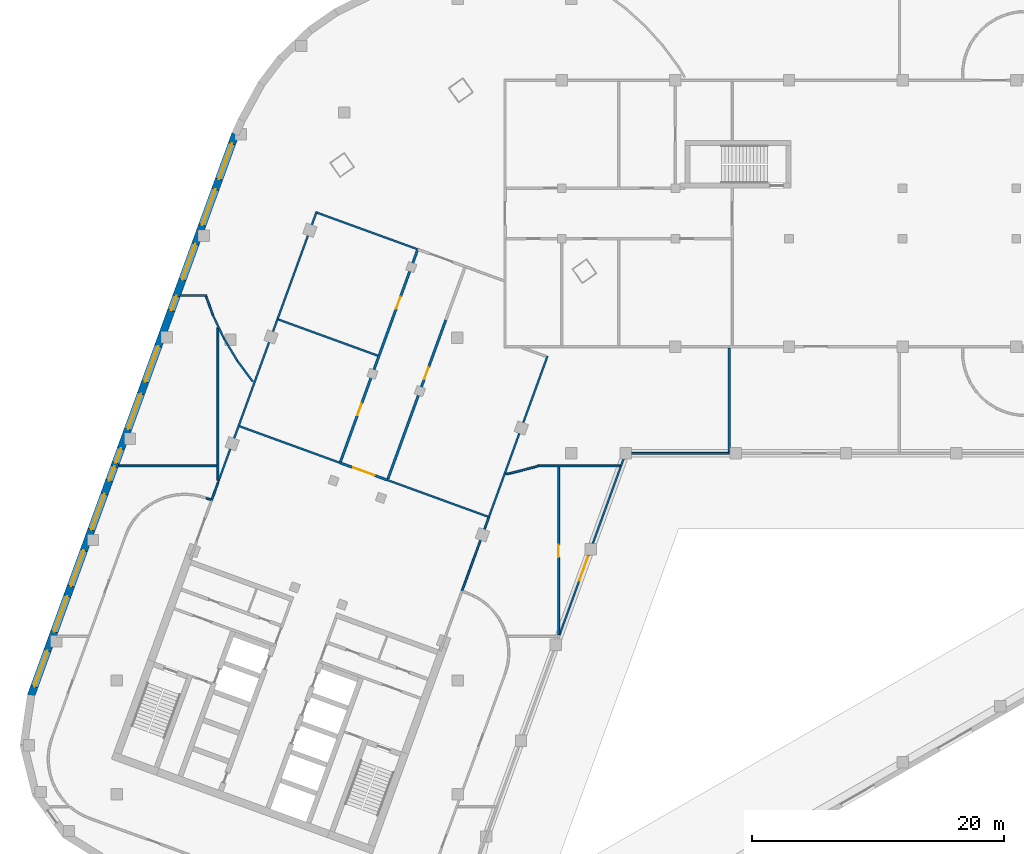
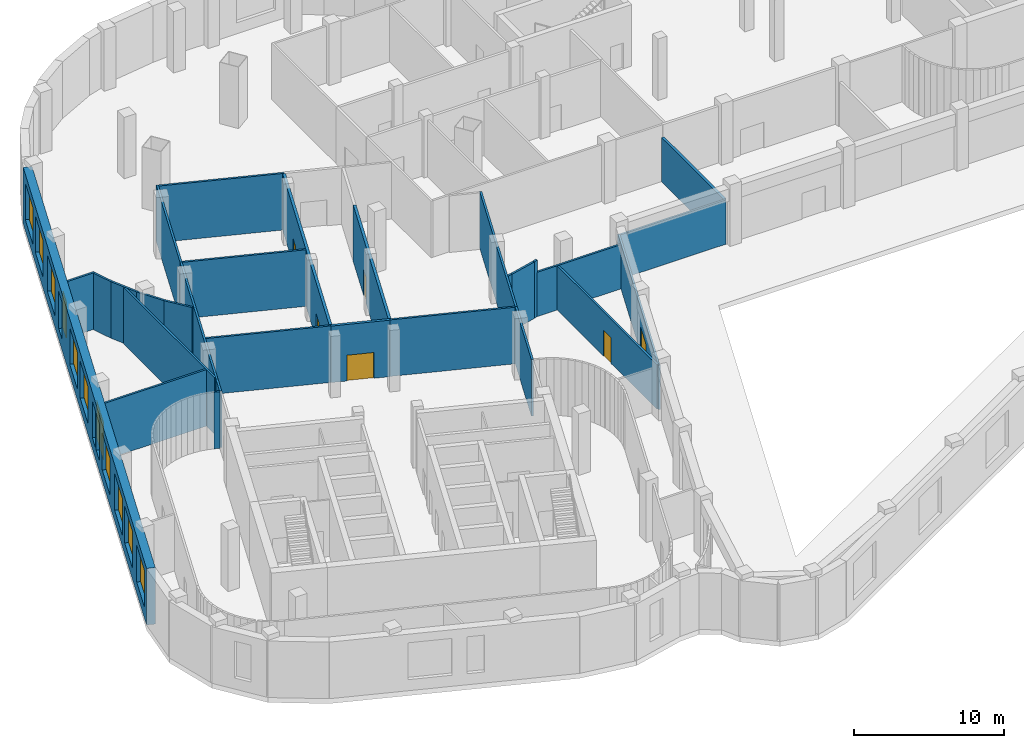
# One storey, part 6 of 20: 29 walls, 12 windows, 6 doors, 18 openings.
"""IFC4 building model written with IfcOpenShell, lengths in metres."""

from ifc_helpers import new_model, si_unit, direction, frame, frame_2d, origin, place, context, subcontext, project, spatial, rectangle, extrude, material, layer, layer_set, type_object, element, fill, save


model = new_model("IFC4")

# Units and contexts
model_context = context("Model", 3, precision=1e-05, world=origin(), true_north=direction((0.0, 1.0)))
body_context = subcontext(model_context, "Body", "Model", "MODEL_VIEW")
ifc_project = project(units=[si_unit("LENGTHUNIT", "METRE"), si_unit("AREAUNIT", "SQUARE_METRE"), si_unit("VOLUMEUNIT", "CUBIC_METRE"), si_unit("PLANEANGLEUNIT", "RADIAN"), si_unit("MASSUNIT", "GRAM", prefix="KILO")], contexts=[model_context])

# Site, building, storey
site_placement = place(None, origin())
site = spatial("IfcSite", under=ifc_project, at=site_placement, CompositionType="ELEMENT")
building_placement = place(site_placement, origin())
building = spatial("IfcBuilding", under=site, at=building_placement, Name="Skarvind Civic Tower", CompositionType="ELEMENT")
storey_placement = place(building_placement, frame((0.0, 0.0, 17.5)))
storey = spatial("IfcBuildingStorey", under=building, at=storey_placement, Name="L03", CompositionType="ELEMENT", Elevation=17.5)

# Wall, opening, door
ifc_material_1 = material(Name="Fire-rated blockwork wall, plastered", Category="masonry")
ifc_layer_1 = layer(ifc_material_1, 0.199951171875)
ifc_layer_set_1 = layer_set([ifc_layer_1], Name="FIRE WALL 200 EI 60")
wall_type_1 = type_object("IfcWallType", Name="FIRE WALL 200 EI 60", PredefinedType="PARTITIONING", material=ifc_layer_set_1)
wall_1_placement = place(storey_placement, frame((40.43994140625, 106.8779296875, 0.0), z_axis=(0.0, 0.0, 1.0), x_axis=(-0.939665029144, 0.342095941228, 0.0)))
wall_1 = element("IfcWall", 1, at=wall_1_placement, inside=storey, type_object=wall_type_1, Name="Podium partition L03 055", PredefinedType="PARTITIONING", context=body_context, shape_type="SweptSolid", body=[
    extrude(rectangle(XDim=3.999267578125, YDim=0.199951171875, at=frame_2d((1.99951171875, 0.0))), origin(), (0.0, 0.0, 1.0), 4.60009765625),
])
opening_1_placement = place(wall_1_placement, frame((1.09912109375, 0.0, 0.0)))
opening_1 = element("IfcOpeningElement", 2, at=opening_1_placement, cuts=wall_1, Name="Opening L03-D207", PredefinedType="OPENING", context=body_context, shape_type="SweptSolid", body=[
    extrude(rectangle(XDim=1.800048828125, YDim=2.10009765625, at=frame_2d((0.89990234375, 1.050048828125))), frame((0.0, 0.10986328125, 0.0), z_axis=(0.0, -1.0, 0.0), x_axis=(1.0, 0.0, 0.0)), (0.0, 0.0, 1.0), 0.219970703125),
])
ifc_material_2 = material(Name="Painted steel fire door leaf", Category="steel")
door_type_1 = type_object("IfcDoorType", Name="FIRE DOOR 1800X2100 DOUBLE STEEL", OperationType="NOTDEFINED", PredefinedType="DOOR", material=ifc_material_2)
door_1_placement = place(opening_1_placement, origin())
door_1 = element("IfcDoor", 3, at=door_1_placement, inside=storey, type_object=door_type_1, Name="FIRE DOOR", OperationType="DOUBLE_DOOR_SINGLE_SWING", OverallHeight=2.10009765625, OverallWidth=1.800048828125, PredefinedType="DOOR", context=body_context, shape_type="SweptSolid", body=[
    extrude(rectangle(XDim=1.800048828125, YDim=2.10009765625, at=frame_2d((0.89990234375, 1.050048828125))), frame((0.0, 0.02490234375, 0.0), z_axis=(0.0, -1.0, 0.0), x_axis=(1.0, 0.0, 0.0)), (0.0, 0.0, 1.0), 0.050048828125),
])
fill(opening_1, door_1)

# Wall, openings, doors
wall_2_placement = place(storey_placement, frame((36.716064453125, 108.340087890625, 0.0), z_axis=(0.0, 0.0, 1.0), x_axis=(0.342029387276, 0.939689256212, 0.0)))
wall_2 = element("IfcWall", 4, at=wall_2_placement, inside=storey, type_object=wall_type_1, Name="Podium partition L03 056", PredefinedType="PARTITIONING", context=body_context, shape_type="SweptSolid", body=[
    extrude(rectangle(XDim=17.79931640625, YDim=0.199951171875, at=frame_2d((8.899658203125, 0.0))), origin(), (0.0, 0.0, 1.0), 4.60009765625),
])
opening_2_placement = place(wall_2_placement, frame((3.902099609375, 0.0, 0.0)))
opening_2 = element("IfcOpeningElement", 5, at=opening_2_placement, cuts=wall_2, Name="Opening L03-D206", PredefinedType="OPENING", context=body_context, shape_type="SweptSolid", body=[
    extrude(rectangle(XDim=1.0, YDim=2.10009765625, at=frame_2d((0.5, 1.050048828125))), frame((0.0, 0.10986328125, 0.0), z_axis=(0.0, -1.0, 0.0), x_axis=(1.0, 0.0, 0.0)), (0.0, 0.0, 1.0), 0.219970703125),
])
opening_3_placement = place(wall_2_placement, frame((12.89794921875, 0.0, 0.0)))
opening_3 = element("IfcOpeningElement", 6, at=opening_3_placement, cuts=wall_2, Name="Opening L03-D208", PredefinedType="OPENING", context=body_context, shape_type="SweptSolid", body=[
    extrude(rectangle(XDim=1.0, YDim=2.10009765625, at=frame_2d((0.5, 1.050048828125))), frame((0.0, 0.10986328125, 0.0), z_axis=(0.0, -1.0, 0.0), x_axis=(1.0, 0.0, 0.0)), (0.0, 0.0, 1.0), 0.219970703125),
])
door_type_2 = type_object("IfcDoorType", Name="FIRE DOOR 1000X2100 STEEL", OperationType="NOTDEFINED", PredefinedType="DOOR", material=ifc_material_2)
door_2_placement = place(opening_2_placement, origin())
door_2 = element("IfcDoor", 7, at=door_2_placement, inside=storey, type_object=door_type_2, Name="FIRE DOOR", OperationType="SINGLE_SWING_RIGHT", OverallHeight=2.10009765625, OverallWidth=1.0, PredefinedType="DOOR", context=body_context, shape_type="SweptSolid", body=[
    extrude(rectangle(XDim=1.0, YDim=2.10009765625, at=frame_2d((0.5, 1.050048828125))), frame((0.0, 0.02490234375, 0.0), z_axis=(0.0, -1.0, 0.0), x_axis=(1.0, 0.0, 0.0)), (0.0, 0.0, 1.0), 0.050048828125),
])
fill(opening_2, door_2)
door_3_placement = place(opening_3_placement, origin())
door_3 = element("IfcDoor", 8, at=door_3_placement, inside=storey, type_object=door_type_2, Name="FIRE DOOR", OperationType="SINGLE_SWING_LEFT", OverallHeight=2.10009765625, OverallWidth=1.0, PredefinedType="DOOR", context=body_context, shape_type="SweptSolid", body=[
    extrude(rectangle(XDim=1.0, YDim=2.10009765625, at=frame_2d((0.5, 1.050048828125))), frame((0.0, 0.02490234375, 0.0), z_axis=(0.0, -1.0, 0.0), x_axis=(1.0, 0.0, 0.0)), (0.0, 0.0, 1.0), 0.050048828125),
])
fill(opening_3, door_3)

# Wall, opening, door
wall_3_placement = place(storey_placement, frame((45.05810546875, 119.56298828125, 0.0), z_axis=(0.0, 0.0, 1.0), x_axis=(-0.342099992172, -0.93966355434, 0.0)))
wall_3 = element("IfcWall", 9, at=wall_3_placement, inside=storey, type_object=wall_type_1, Name="Podium partition L03 064", PredefinedType="PARTITIONING", context=body_context, shape_type="SweptSolid", body=[
    extrude(rectangle(XDim=13.399658203125, YDim=0.199951171875, at=frame_2d((6.69970703125, 0.0))), origin(), (0.0, 0.0, 1.0), 4.60009765625),
])
opening_4_placement = place(wall_3_placement, frame((4.0, 0.0, 0.0)))
opening_4 = element("IfcOpeningElement", 10, at=opening_4_placement, cuts=wall_3, Name="Opening L03-D209", PredefinedType="OPENING", context=body_context, shape_type="SweptSolid", body=[
    extrude(rectangle(XDim=1.0, YDim=2.10009765625, at=frame_2d((0.5, 1.050048828125))), frame((0.0, 0.10986328125, 0.0), z_axis=(0.0, -1.0, 0.0), x_axis=(1.0, 0.0, 0.0)), (0.0, 0.0, 1.0), 0.219970703125),
])
door_4_placement = place(opening_4_placement, origin())
door_4 = element("IfcDoor", 11, at=door_4_placement, inside=storey, type_object=door_type_2, Name="FIRE DOOR", OperationType="SINGLE_SWING_LEFT", OverallHeight=2.10009765625, OverallWidth=1.0, PredefinedType="DOOR", context=body_context, shape_type="SweptSolid", body=[
    extrude(rectangle(XDim=1.0, YDim=2.10009765625, at=frame_2d((0.5, 1.050048828125))), frame((0.0, 0.02490234375, 0.0), z_axis=(0.0, -1.0, 0.0), x_axis=(1.0, 0.0, 0.0)), (0.0, 0.0, 1.0), 0.050048828125),
])
fill(opening_4, door_4)

# Walls
wall_4_placement = place(storey_placement, frame((67.5, 109.10009765625, 0.0), z_axis=(0.0, 0.0, 1.0), x_axis=(0.0, 1.0, 0.0)))
element("IfcWall", 12, at=wall_4_placement, inside=storey, type_object=wall_type_1, Name="Podium partition L03 141", PredefinedType="PARTITIONING", context=body_context, shape_type="SweptSolid", body=[
    extrude(rectangle(XDim=8.25, YDim=0.199951171875, at=frame_2d((4.125, 0.0))), origin(), (0.0, 0.0, 1.0), 3.60009765625),
])
ifc_material_3 = material(Name="Plasterboard partition on steel studs", Category="steel")
ifc_layer_2 = layer(ifc_material_3, 0.14990234375)
ifc_layer_set_2 = layer_set([ifc_layer_2], Name="PARTITION 150")
wall_type_2 = type_object("IfcWallType", Name="PARTITION 150", PredefinedType="PARTITIONING", material=ifc_layer_set_2)
wall_5_placement = place(storey_placement, frame((19.139892578125, 108.0, 0.0), z_axis=(0.0, 0.0, 1.0), x_axis=(1.0, 0.0, 0.0)))
element("IfcWall", 13, at=wall_5_placement, inside=storey, type_object=wall_type_2, Name="Podium partition L03 022", PredefinedType="PARTITIONING", context=body_context, shape_type="SweptSolid", body=[
    extrude(rectangle(XDim=7.78515625, YDim=0.14990234375, at=frame_2d((3.892578125, 0.0))), origin(), (0.0, 0.0, 1.0), 4.60009765625),
])
wall_6_placement = place(storey_placement, frame((24.053955078125, 121.5, 0.0), z_axis=(0.0, 0.0, 1.0), x_axis=(1.0, 0.0, 0.0)))
element("IfcWall", 14, at=wall_6_placement, inside=storey, type_object=wall_type_2, Name="Podium partition L03 035", PredefinedType="PARTITIONING", context=body_context, shape_type="SweptSolid", body=[
    extrude(rectangle(XDim=2.070068359375, YDim=0.14990234375, at=frame_2d((1.03515625, 0.0))), origin(), (0.0, 0.0, 1.0), 4.60009765625),
])
wall_7_placement = place(storey_placement, frame((26.075927734375, 121.425048828125, 0.0), z_axis=(0.0, 0.0, 1.0), x_axis=(0.337062297278, -0.94148234596, 0.0)))
element("IfcWall", 15, at=wall_7_placement, inside=storey, type_object=wall_type_2, Name="Podium partition L03 041", PredefinedType="PARTITIONING", context=body_context, shape_type="SweptSolid", body=[
    extrude(rectangle(XDim=1.55517578125, YDim=0.14990234375, at=frame_2d((0.777587890625, 0.0))), origin(), (0.0, 0.0, 1.0), 4.60009765625),
])
wall_8_placement = place(storey_placement, frame((26.0849609375, 105.451904296875, 0.0), z_axis=(0.0, 0.0, 1.0), x_axis=(0.939944328342, -0.341327789109, 0.0)))
element("IfcWall", 16, at=wall_8_placement, inside=storey, type_object=wall_type_2, Name="Podium partition L03 042", PredefinedType="PARTITIONING", context=body_context, shape_type="SweptSolid", body=[
    extrude(rectangle(XDim=0.377685546875, YDim=0.14990234375, at=frame_2d((0.18896484375, 0.0))), origin(), (0.0, 0.0, 1.0), 4.60009765625),
])
wall_9_placement = place(storey_placement, frame((26.510009765625, 105.297119140625, 0.0), z_axis=(0.0, 0.0, 1.0), x_axis=(0.341866150321, 0.939748655367, 0.0)))
element("IfcWall", 17, at=wall_9_placement, inside=storey, type_object=wall_type_2, Name="Podium partition L03 043", PredefinedType="PARTITIONING", context=body_context, shape_type="SweptSolid", body=[
    extrude(rectangle(XDim=1.433349609375, YDim=0.14990234375, at=frame_2d((0.716796875, 0.0))), origin(), (0.0, 0.0, 1.0), 4.60009765625),
])
wall_10_placement = place(storey_placement, frame((26.596923828125, 119.967041015625, 0.0), z_axis=(0.0, 0.0, 1.0), x_axis=(0.42793917446, -0.90380753646, 0.0)))
element("IfcWall", 18, at=wall_10_placement, inside=storey, type_object=wall_type_2, Name="Podium partition L03 044", PredefinedType="PARTITIONING", context=body_context, shape_type="SweptSolid", body=[
    extrude(rectangle(XDim=2.068115234375, YDim=0.14990234375, at=frame_2d((1.0341796875, 0.0))), origin(), (0.0, 0.0, 1.0), 4.60009765625),
])
wall_11_placement = place(storey_placement, frame((27.0, 106.85791015625, 0.0), z_axis=(0.0, 0.0, 1.0), x_axis=(0.0, 1.0, 0.0)))
element("IfcWall", 19, at=wall_11_placement, inside=storey, type_object=wall_type_2, Name="Podium partition L03 046", PredefinedType="PARTITIONING", context=body_context, shape_type="SweptSolid", body=[
    extrude(rectangle(XDim=12.10302734375, YDim=0.14990234375, at=frame_2d((6.051513671875, 0.0))), origin(), (0.0, 0.0, 1.0), 4.60009765625),
])
wall_12_placement = place(storey_placement, frame((27.0, 106.64404296875, 0.0), z_axis=(0.0, 0.0, 1.0), x_axis=(0.3420012765, 0.939699487534, 0.0)))
element("IfcWall", 20, at=wall_12_placement, inside=storey, type_object=wall_type_2, Name="Podium partition L03 047", PredefinedType="PARTITIONING", context=body_context, shape_type="SweptSolid", body=[
    extrude(rectangle(XDim=13.81591796875, YDim=0.14990234375, at=frame_2d((6.907958984375, 0.0))), origin(), (0.0, 0.0, 1.0), 4.60009765625),
])
wall_13_placement = place(storey_placement, frame((27.47802734375, 118.10400390625, 0.0), z_axis=(0.0, 0.0, 1.0), x_axis=(0.514009565734, -0.857784452141, 0.0)))
element("IfcWall", 21, at=wall_13_placement, inside=storey, type_object=wall_type_2, Name="Podium partition L03 048", PredefinedType="PARTITIONING", context=body_context, shape_type="SweptSolid", body=[
    extrude(rectangle(XDim=2.068115234375, YDim=0.14990234375, at=frame_2d((1.0341796875, 0.0))), origin(), (0.0, 0.0, 1.0), 4.60009765625),
])
wall_14_placement = place(storey_placement, frame((28.537109375, 116.3359375, 0.0), z_axis=(0.0, 0.0, 1.0), x_axis=(0.595741297031, -0.80317638599, 0.0)))
element("IfcWall", 22, at=wall_14_placement, inside=storey, type_object=wall_type_2, Name="Podium partition L03 049", PredefinedType="PARTITIONING", context=body_context, shape_type="SweptSolid", body=[
    extrude(rectangle(XDim=2.06787109375, YDim=0.14990234375, at=frame_2d((1.033935546875, 0.0))), origin(), (0.0, 0.0, 1.0), 4.60009765625),
])
wall_15_placement = place(storey_placement, frame((28.717041015625, 111.14404296875, 0.0), z_axis=(0.0, 0.0, 1.0), x_axis=(0.939731172492, -0.341914204803, 0.0)))
element("IfcWall", 23, at=wall_15_placement, inside=storey, type_object=wall_type_2, Name="Podium partition L03 050", PredefinedType="PARTITIONING", context=body_context, shape_type="SweptSolid", body=[
    extrude(rectangle(XDim=8.4755859375, YDim=0.14990234375, at=frame_2d((4.23779296875, 0.0))), origin(), (0.0, 0.0, 1.0), 4.60009765625),
])
wall_16_placement = place(storey_placement, frame((31.72509765625, 119.626953125, 0.0), z_axis=(0.0, 0.0, 1.0), x_axis=(0.342153449842, 0.939644090473, 0.0)))
element("IfcWall", 24, at=wall_16_placement, inside=storey, type_object=wall_type_2, Name="Podium partition L03 052", PredefinedType="PARTITIONING", context=body_context, shape_type="SweptSolid", body=[
    extrude(rectangle(XDim=9.07470703125, YDim=0.14990234375, at=frame_2d((4.537353515625, 0.0))), origin(), (0.0, 0.0, 1.0), 4.60009765625),
])
wall_17_placement = place(storey_placement, frame((31.794921875, 119.60107421875, 0.0), z_axis=(0.0, 0.0, 1.0), x_axis=(0.93972447093, -0.341932623092, 0.0)))
element("IfcWall", 25, at=wall_17_placement, inside=storey, type_object=wall_type_2, Name="Podium partition L03 053", PredefinedType="PARTITIONING", context=body_context, shape_type="SweptSolid", body=[
    extrude(rectangle(XDim=8.3759765625, YDim=0.14990234375, at=frame_2d((4.18798828125, 0.0))), origin(), (0.0, 0.0, 1.0), 4.60009765625),
])
wall_18_placement = place(storey_placement, frame((34.8740234375, 128.05810546875, 0.0), z_axis=(0.0, 0.0, 1.0), x_axis=(0.939708443164, -0.341976668571, 0.0)))
element("IfcWall", 26, at=wall_18_placement, inside=storey, type_object=wall_type_2, Name="Podium partition L03 054", PredefinedType="PARTITIONING", context=body_context, shape_type="SweptSolid", body=[
    extrude(rectangle(XDim=8.474853515625, YDim=0.14990234375, at=frame_2d((4.2373046875, 0.0))), origin(), (0.0, 0.0, 1.0), 4.60009765625),
])
wall_19_placement = place(storey_placement, frame((40.43994140625, 106.8779296875, 0.0), z_axis=(0.0, 0.0, 1.0), x_axis=(0.939697516706, -0.342006691597, 0.0)))
element("IfcWall", 27, at=wall_19_placement, inside=storey, type_object=wall_type_2, Name="Podium partition L03 065", PredefinedType="PARTITIONING", context=body_context, shape_type="SweptSolid", body=[
    extrude(rectangle(XDim=8.476318359375, YDim=0.14990234375, at=frame_2d((4.23828125, 0.0))), origin(), (0.0, 0.0, 1.0), 4.60009765625),
])
wall_20_placement = place(storey_placement, frame((46.3369140625, 98.080078125, 0.0), z_axis=(0.0, 0.0, 1.0), x_axis=(0.342113136459, 0.939658768842, 0.0)))
element("IfcWall", 28, at=wall_20_placement, inside=storey, type_object=wall_type_2, Name="Podium partition L03 089", PredefinedType="PARTITIONING", context=body_context, shape_type="SweptSolid", body=[
    extrude(rectangle(XDim=6.25, YDim=0.14990234375, at=frame_2d((3.125, 0.0))), origin(), (0.0, 0.0, 1.0), 4.60009765625),
])
wall_21_placement = place(storey_placement, frame((48.47509765625, 103.952880859375, 0.0), z_axis=(0.0, 0.0, 1.0), x_axis=(0.342018860609, 0.939693087656, 0.0)))
element("IfcWall", 29, at=wall_21_placement, inside=storey, type_object=wall_type_2, Name="Podium partition L03 100", PredefinedType="PARTITIONING", context=body_context, shape_type="SweptSolid", body=[
    extrude(rectangle(XDim=13.57470703125, YDim=0.14990234375, at=frame_2d((6.787353515625, 0.0))), origin(), (0.0, 0.0, 1.0), 4.60009765625),
])
wall_22_placement = place(storey_placement, frame((49.7939453125, 107.35888671875, 0.0), z_axis=(0.0, 0.0, 1.0), x_axis=(0.988901730308, 0.148571086668, 0.0)))
element("IfcWall", 30, at=wall_22_placement, inside=storey, type_object=wall_type_2, Name="Podium partition L03 106", PredefinedType="PARTITIONING", context=body_context, shape_type="SweptSolid", body=[
    extrude(rectangle(XDim=0.310546875, YDim=0.14990234375, at=frame_2d((0.1552734375, 0.0))), origin(), (0.0, 0.0, 1.0), 4.60009765625),
])
wall_23_placement = place(storey_placement, frame((50.093017578125, 107.403076171875, 0.0), z_axis=(0.0, 0.0, 1.0), x_axis=(0.970121672102, 0.24261892201, 0.0)))
element("IfcWall", 31, at=wall_23_placement, inside=storey, type_object=wall_type_2, Name="Podium partition L03 123", PredefinedType="PARTITIONING", context=body_context, shape_type="SweptSolid", body=[
    extrude(rectangle(XDim=2.06884765625, YDim=0.14990234375, at=frame_2d((1.034423828125, 0.0))), origin(), (0.0, 0.0, 1.0), 4.60009765625),
])
wall_24_placement = place(storey_placement, frame((52.093017578125, 107.903076171875, 0.0), z_axis=(0.0, 0.0, 1.0), x_axis=(0.941980718737, 0.335666986056, 0.0)))
element("IfcWall", 32, at=wall_24_placement, inside=storey, type_object=wall_type_2, Name="Podium partition L03 125", PredefinedType="PARTITIONING", context=body_context, shape_type="SweptSolid", body=[
    extrude(rectangle(XDim=0.30029296875, YDim=0.14990234375, at=frame_2d((0.150146484375, 0.0))), origin(), (0.0, 0.0, 1.0), 4.60009765625),
])
wall_25_placement = place(storey_placement, frame((52.35107421875, 108.0, 0.0), z_axis=(0.0, 0.0, 1.0), x_axis=(1.0, 0.0, 0.0)))
element("IfcWall", 33, at=wall_25_placement, inside=storey, type_object=wall_type_2, Name="Podium partition L03 126", PredefinedType="PARTITIONING", context=body_context, shape_type="SweptSolid", body=[
    extrude(rectangle(XDim=6.509033203125, YDim=0.14990234375, at=frame_2d((3.25439453125, 0.0))), origin(), (0.0, 0.0, 1.0), 3.60009765625),
])

# Wall, opening, door
wall_26_placement = place(storey_placement, frame((54.0, 107.925048828125, 0.0), z_axis=(0.0, 0.0, 1.0), x_axis=(0.0, -1.0, 0.0)))
wall_26 = element("IfcWall", 34, at=wall_26_placement, inside=storey, type_object=wall_type_2, Name="Podium partition L03 127", PredefinedType="PARTITIONING", context=body_context, shape_type="SweptSolid", body=[
    extrude(rectangle(XDim=13.2900390625, YDim=0.14990234375, at=frame_2d((6.64501953125, 0.0))), origin(), (0.0, 0.0, 1.0), 3.60009765625),
])
opening_5_placement = place(wall_26_placement, frame((6.175048828125, 0.0, 0.0)))
opening_5 = element("IfcOpeningElement", 35, at=opening_5_placement, cuts=wall_26, Name="Opening L03-D216", PredefinedType="OPENING", context=body_context, shape_type="SweptSolid", body=[
    extrude(rectangle(XDim=1.0, YDim=2.10009765625, at=frame_2d((0.5, 1.050048828125))), frame((0.0, 0.0849609375, 0.0), z_axis=(0.0, -1.0, 0.0), x_axis=(1.0, 0.0, 0.0)), (0.0, 0.0, 1.0), 0.169921875),
])
ifc_material_4 = material(Name="Timber veneer door leaf", Category="wood")
door_type_3 = type_object("IfcDoorType", Name="DOOR 1000X2100 TIMBER", OperationType="NOTDEFINED", PredefinedType="DOOR", material=ifc_material_4)
door_5_placement = place(opening_5_placement, origin())
door_5 = element("IfcDoor", 36, at=door_5_placement, inside=storey, type_object=door_type_3, Name="DOOR DOOR", OperationType="SINGLE_SWING_LEFT", OverallHeight=2.10009765625, OverallWidth=1.0, PredefinedType="DOOR", context=body_context, shape_type="SweptSolid", body=[
    extrude(rectangle(XDim=1.0, YDim=2.10009765625, at=frame_2d((0.5, 1.050048828125))), frame((0.0, 0.02490234375, 0.0), z_axis=(0.0, -1.0, 0.0), x_axis=(1.0, 0.0, 0.0)), (0.0, 0.0, 1.0), 0.050048828125),
])
fill(opening_5, door_5)

wall_27_placement = place(storey_placement, frame((54.02587890625, 94.5, 0.0), z_axis=(0.0, 0.0, 1.0), x_axis=(0.342084382251, 0.939669237243, 0.0)))
wall_27 = element("IfcWall", 37, at=wall_27_placement, inside=storey, type_object=wall_type_2, Name="Podium partition L03 128", PredefinedType="PARTITIONING", context=body_context, shape_type="SweptSolid", body=[
    extrude(rectangle(XDim=15.505615234375, YDim=0.14990234375, at=frame_2d((7.7529296875, 0.0))), origin(), (0.0, 0.0, 1.0), 3.60009765625),
])
opening_6_placement = place(wall_27_placement, frame((4.68408203125, 0.0, 0.0)))
opening_6 = element("IfcOpeningElement", 38, at=opening_6_placement, cuts=wall_27, Name="Opening L03-D217", PredefinedType="OPENING", context=body_context, shape_type="SweptSolid", body=[
    extrude(rectangle(XDim=2.0, YDim=2.10009765625, at=frame_2d((1.0, 1.050048828125))), frame((0.0, 0.0849609375, 0.0), z_axis=(0.0, -1.0, 0.0), x_axis=(1.0, 0.0, 0.0)), (0.0, 0.0, 1.0), 0.169921875),
])
door_type_4 = type_object("IfcDoorType", Name="DOOR 2000X2100 DOUBLE TIMBER", OperationType="NOTDEFINED", PredefinedType="DOOR", material=ifc_material_4)
door_6_placement = place(opening_6_placement, origin())
door_6 = element("IfcDoor", 39, at=door_6_placement, inside=storey, type_object=door_type_4, Name="DOOR DOOR", OperationType="DOUBLE_DOOR_SINGLE_SWING", OverallHeight=2.10009765625, OverallWidth=2.0, PredefinedType="DOOR", context=body_context, shape_type="SweptSolid", body=[
    extrude(rectangle(XDim=2.0, YDim=2.10009765625, at=frame_2d((1.0, 1.050048828125))), frame((0.0, 0.02490234375, 0.0), z_axis=(0.0, -1.0, 0.0), x_axis=(1.0, 0.0, 0.0)), (0.0, 0.0, 1.0), 0.050048828125),
])
fill(opening_6, door_6)

# Wall
wall_28_placement = place(storey_placement, frame((59.384033203125, 109.0, 0.0), z_axis=(0.0, 0.0, 1.0), x_axis=(1.0, 0.0, 0.0)))
element("IfcWall", 40, at=wall_28_placement, inside=storey, type_object=wall_type_2, Name="Podium partition L03 134", PredefinedType="PARTITIONING", context=body_context, shape_type="SweptSolid", body=[
    extrude(rectangle(XDim=8.115966796875, YDim=0.14990234375, at=frame_2d((4.05810546875, 0.0))), origin(), (0.0, 0.0, 1.0), 3.60009765625),
])

# Wall, openings, windows
ifc_material_5 = material(Name="Limestone masonry cladding on insulated backing", Category="masonry")
ifc_layer_3 = layer(ifc_material_5, 0.60009765625)
ifc_layer_set_3 = layer_set([ifc_layer_3], Name="WX1 STONE FACADE WALL 600")
wall_type_3 = type_object("IfcWallType", Name="WX1 STONE FACADE WALL 600", PredefinedType="SOLIDWALL", material=ifc_layer_set_3)
wall_29_placement = place(storey_placement, frame((12.199462890625, 89.80908203125, 0.0), z_axis=(0.0, 0.0, 1.0), x_axis=(0.342022998908, 0.939691581434, 0.0)))
wall_29 = element("IfcWall", 41, at=wall_29_placement, inside=storey, type_object=wall_type_3, Name="STONE FACADE WALL", PredefinedType="SOLIDWALL", context=body_context, shape_type="SweptSolid", body=[
    extrude(rectangle(XDim=47.33447265625, YDim=0.60009765625, at=frame_2d((23.667236328125, 0.0))), origin(), (0.0, 0.0, 1.0), 4.60009765625),
])
opening_7_placement = place(wall_29_placement, frame((0.77294921875, 0.0, 0.89990234375)))
opening_7 = element("IfcOpeningElement", 42, at=opening_7_placement, cuts=wall_29, Name="Opening WN2", PredefinedType="OPENING", context=body_context, shape_type="SweptSolid", body=[
    extrude(rectangle(XDim=3.0, YDim=3.0, at=frame_2d((1.5, 1.5))), frame((0.0, 0.31005859375, 0.0), z_axis=(0.0, -1.0, 0.0), x_axis=(1.0, 0.0, 0.0)), (0.0, 0.0, 1.0), 0.6201171875),
])
opening_8_placement = place(wall_29_placement, frame((5.37890625, 0.0, 0.89990234375)))
opening_8 = element("IfcOpeningElement", 43, at=opening_8_placement, cuts=wall_29, Name="Opening WN2", PredefinedType="OPENING", context=body_context, shape_type="SweptSolid", body=[
    extrude(rectangle(XDim=3.0, YDim=3.0, at=frame_2d((1.5, 1.5))), frame((0.0, 0.31005859375, 0.0), z_axis=(0.0, -1.0, 0.0), x_axis=(1.0, 0.0, 0.0)), (0.0, 0.0, 1.0), 0.6201171875),
])
opening_9_placement = place(wall_29_placement, frame((9.234619140625, 0.0, 0.89990234375)))
opening_9 = element("IfcOpeningElement", 44, at=opening_9_placement, cuts=wall_29, Name="Opening WN2", PredefinedType="OPENING", context=body_context, shape_type="SweptSolid", body=[
    extrude(rectangle(XDim=3.0, YDim=3.0, at=frame_2d((1.5, 1.5))), frame((0.0, 0.31005859375, 0.0), z_axis=(0.0, -1.0, 0.0), x_axis=(1.0, 0.0, 0.0)), (0.0, 0.0, 1.0), 0.6201171875),
])
opening_10_placement = place(wall_29_placement, frame((13.990478515625, 0.0, 0.89990234375)))
opening_10 = element("IfcOpeningElement", 45, at=opening_10_placement, cuts=wall_29, Name="Opening WN2", PredefinedType="OPENING", context=body_context, shape_type="SweptSolid", body=[
    extrude(rectangle(XDim=3.0, YDim=3.0, at=frame_2d((1.5, 1.5))), frame((0.0, 0.31005859375, 0.0), z_axis=(0.0, -1.0, 0.0), x_axis=(1.0, 0.0, 0.0)), (0.0, 0.0, 1.0), 0.6201171875),
])
opening_11_placement = place(wall_29_placement, frame((18.11767578125, 0.0, 0.89990234375)))
opening_11 = element("IfcOpeningElement", 46, at=opening_11_placement, cuts=wall_29, Name="Opening WN6", PredefinedType="OPENING", context=body_context, shape_type="SweptSolid", body=[
    extrude(rectangle(XDim=1.199951171875, YDim=3.0, at=frame_2d((0.60009765625, 1.5))), frame((0.0, 0.31005859375, 0.0), z_axis=(0.0, -1.0, 0.0), x_axis=(1.0, 0.0, 0.0)), (0.0, 0.0, 1.0), 0.6201171875),
])
opening_12_placement = place(wall_29_placement, frame((19.61767578125, 0.0, 0.89990234375)))
opening_12 = element("IfcOpeningElement", 47, at=opening_12_placement, cuts=wall_29, Name="Opening WN6", PredefinedType="OPENING", context=body_context, shape_type="SweptSolid", body=[
    extrude(rectangle(XDim=1.199951171875, YDim=3.0, at=frame_2d((0.60009765625, 1.5))), frame((0.0, 0.31005859375, 0.0), z_axis=(0.0, -1.0, 0.0), x_axis=(1.0, 0.0, 0.0)), (0.0, 0.0, 1.0), 0.6201171875),
])
opening_13_placement = place(wall_29_placement, frame((22.4521484375, 0.0, 0.89990234375)))
opening_13 = element("IfcOpeningElement", 48, at=opening_13_placement, cuts=wall_29, Name="Opening WN2", PredefinedType="OPENING", context=body_context, shape_type="SweptSolid", body=[
    extrude(rectangle(XDim=3.0, YDim=3.0, at=frame_2d((1.5, 1.5))), frame((0.0, 0.31005859375, 0.0), z_axis=(0.0, -1.0, 0.0), x_axis=(1.0, 0.0, 0.0)), (0.0, 0.0, 1.0), 0.6201171875),
])
opening_14_placement = place(wall_29_placement, frame((26.4580078125, 0.0, 0.89990234375)))
opening_14 = element("IfcOpeningElement", 49, at=opening_14_placement, cuts=wall_29, Name="Opening WN2", PredefinedType="OPENING", context=body_context, shape_type="SweptSolid", body=[
    extrude(rectangle(XDim=3.0, YDim=3.0, at=frame_2d((1.5, 1.5))), frame((0.0, 0.31005859375, 0.0), z_axis=(0.0, -1.0, 0.0), x_axis=(1.0, 0.0, 0.0)), (0.0, 0.0, 1.0), 0.6201171875),
])
opening_15_placement = place(wall_29_placement, frame((32.484130859375, 0.0, 0.89990234375)))
opening_15 = element("IfcOpeningElement", 50, at=opening_15_placement, cuts=wall_29, Name="Opening WN6", PredefinedType="OPENING", context=body_context, shape_type="SweptSolid", body=[
    extrude(rectangle(XDim=1.199951171875, YDim=3.0, at=frame_2d((0.60009765625, 1.5))), frame((0.0, 0.31005859375, 0.0), z_axis=(0.0, -1.0, 0.0), x_axis=(1.0, 0.0, 0.0)), (0.0, 0.0, 1.0), 0.6201171875),
])
opening_16_placement = place(wall_29_placement, frame((35.069580078125, 0.0, 0.89990234375)))
opening_16 = element("IfcOpeningElement", 51, at=opening_16_placement, cuts=wall_29, Name="Opening WN2", PredefinedType="OPENING", context=body_context, shape_type="SweptSolid", body=[
    extrude(rectangle(XDim=3.0, YDim=3.0, at=frame_2d((1.5, 1.5))), frame((0.0, 0.31005859375, 0.0), z_axis=(0.0, -1.0, 0.0), x_axis=(1.0, 0.0, 0.0)), (0.0, 0.0, 1.0), 0.6201171875),
])
opening_17_placement = place(wall_29_placement, frame((39.675537109375, 0.0, 0.89990234375)))
opening_17 = element("IfcOpeningElement", 52, at=opening_17_placement, cuts=wall_29, Name="Opening WN2", PredefinedType="OPENING", context=body_context, shape_type="SweptSolid", body=[
    extrude(rectangle(XDim=3.0, YDim=3.0, at=frame_2d((1.5, 1.5))), frame((0.0, 0.31005859375, 0.0), z_axis=(0.0, -1.0, 0.0), x_axis=(1.0, 0.0, 0.0)), (0.0, 0.0, 1.0), 0.6201171875),
])
opening_18_placement = place(wall_29_placement, frame((43.531494140625, 0.0, 0.89990234375)))
opening_18 = element("IfcOpeningElement", 53, at=opening_18_placement, cuts=wall_29, Name="Opening WN2", PredefinedType="OPENING", context=body_context, shape_type="SweptSolid", body=[
    extrude(rectangle(XDim=3.0, YDim=3.0, at=frame_2d((1.5, 1.5))), frame((0.0, 0.31005859375, 0.0), z_axis=(0.0, -1.0, 0.0), x_axis=(1.0, 0.0, 0.0)), (0.0, 0.0, 1.0), 0.6201171875),
])
ifc_material_6 = material(Name="Timber frame, double glazing, timber-lined reveal", Category="wood")
window_type_1 = type_object("IfcWindowType", Name="WN2 PODIUM STONE WINDOW 3000 x 3000", PartitioningType="SINGLE_PANEL", PredefinedType="WINDOW", material=ifc_material_6)
window_1_placement = place(opening_7_placement, origin())
window_1 = element("IfcWindow", 54, at=window_1_placement, inside=storey, type_object=window_type_1, Name="WN2 WINDOW", OverallHeight=3.0, OverallWidth=3.0, PartitioningType="SINGLE_PANEL", PredefinedType="WINDOW", context=body_context, shape_type="SweptSolid", body=[
    extrude(rectangle(XDim=3.0, YDim=3.0, at=frame_2d((1.5, 1.5))), frame((0.0, 0.030029296875, 0.0), z_axis=(0.0, -1.0, 0.0), x_axis=(1.0, 0.0, 0.0)), (0.0, 0.0, 1.0), 0.06005859375),
])
fill(opening_7, window_1)
window_2_placement = place(opening_8_placement, origin())
window_2 = element("IfcWindow", 55, at=window_2_placement, inside=storey, type_object=window_type_1, Name="WN2 WINDOW", OverallHeight=3.0, OverallWidth=3.0, PartitioningType="SINGLE_PANEL", PredefinedType="WINDOW", context=body_context, shape_type="SweptSolid", body=[
    extrude(rectangle(XDim=3.0, YDim=3.0, at=frame_2d((1.5, 1.5))), frame((0.0, 0.030029296875, 0.0), z_axis=(0.0, -1.0, 0.0), x_axis=(1.0, 0.0, 0.0)), (0.0, 0.0, 1.0), 0.06005859375),
])
fill(opening_8, window_2)
window_3_placement = place(opening_9_placement, origin())
window_3 = element("IfcWindow", 56, at=window_3_placement, inside=storey, type_object=window_type_1, Name="WN2 WINDOW", OverallHeight=3.0, OverallWidth=3.0, PartitioningType="SINGLE_PANEL", PredefinedType="WINDOW", context=body_context, shape_type="SweptSolid", body=[
    extrude(rectangle(XDim=3.0, YDim=3.0, at=frame_2d((1.5, 1.5))), frame((0.0, 0.030029296875, 0.0), z_axis=(0.0, -1.0, 0.0), x_axis=(1.0, 0.0, 0.0)), (0.0, 0.0, 1.0), 0.06005859375),
])
fill(opening_9, window_3)
window_4_placement = place(opening_10_placement, origin())
window_4 = element("IfcWindow", 57, at=window_4_placement, inside=storey, type_object=window_type_1, Name="WN2 WINDOW", OverallHeight=3.0, OverallWidth=3.0, PartitioningType="SINGLE_PANEL", PredefinedType="WINDOW", context=body_context, shape_type="SweptSolid", body=[
    extrude(rectangle(XDim=3.0, YDim=3.0, at=frame_2d((1.5, 1.5))), frame((0.0, 0.030029296875, 0.0), z_axis=(0.0, -1.0, 0.0), x_axis=(1.0, 0.0, 0.0)), (0.0, 0.0, 1.0), 0.06005859375),
])
fill(opening_10, window_4)
window_5_placement = place(opening_13_placement, origin())
window_5 = element("IfcWindow", 58, at=window_5_placement, inside=storey, type_object=window_type_1, Name="WN2 WINDOW", OverallHeight=3.0, OverallWidth=3.0, PartitioningType="SINGLE_PANEL", PredefinedType="WINDOW", context=body_context, shape_type="SweptSolid", body=[
    extrude(rectangle(XDim=3.0, YDim=3.0, at=frame_2d((1.5, 1.5))), frame((0.0, 0.030029296875, 0.0), z_axis=(0.0, -1.0, 0.0), x_axis=(1.0, 0.0, 0.0)), (0.0, 0.0, 1.0), 0.06005859375),
])
fill(opening_13, window_5)
window_6_placement = place(opening_14_placement, origin())
window_6 = element("IfcWindow", 59, at=window_6_placement, inside=storey, type_object=window_type_1, Name="WN2 WINDOW", OverallHeight=3.0, OverallWidth=3.0, PartitioningType="SINGLE_PANEL", PredefinedType="WINDOW", context=body_context, shape_type="SweptSolid", body=[
    extrude(rectangle(XDim=3.0, YDim=3.0, at=frame_2d((1.5, 1.5))), frame((0.0, 0.030029296875, 0.0), z_axis=(0.0, -1.0, 0.0), x_axis=(1.0, 0.0, 0.0)), (0.0, 0.0, 1.0), 0.06005859375),
])
fill(opening_14, window_6)
window_7_placement = place(opening_16_placement, origin())
window_7 = element("IfcWindow", 60, at=window_7_placement, inside=storey, type_object=window_type_1, Name="WN2 WINDOW", OverallHeight=3.0, OverallWidth=3.0, PartitioningType="SINGLE_PANEL", PredefinedType="WINDOW", context=body_context, shape_type="SweptSolid", body=[
    extrude(rectangle(XDim=3.0, YDim=3.0, at=frame_2d((1.5, 1.5))), frame((0.0, 0.030029296875, 0.0), z_axis=(0.0, -1.0, 0.0), x_axis=(1.0, 0.0, 0.0)), (0.0, 0.0, 1.0), 0.06005859375),
])
fill(opening_16, window_7)
window_8_placement = place(opening_17_placement, origin())
window_8 = element("IfcWindow", 61, at=window_8_placement, inside=storey, type_object=window_type_1, Name="WN2 WINDOW", OverallHeight=3.0, OverallWidth=3.0, PartitioningType="SINGLE_PANEL", PredefinedType="WINDOW", context=body_context, shape_type="SweptSolid", body=[
    extrude(rectangle(XDim=3.0, YDim=3.0, at=frame_2d((1.5, 1.5))), frame((0.0, 0.030029296875, 0.0), z_axis=(0.0, -1.0, 0.0), x_axis=(1.0, 0.0, 0.0)), (0.0, 0.0, 1.0), 0.06005859375),
])
fill(opening_17, window_8)
window_9_placement = place(opening_18_placement, origin())
window_9 = element("IfcWindow", 62, at=window_9_placement, inside=storey, type_object=window_type_1, Name="WN2 WINDOW", OverallHeight=3.0, OverallWidth=3.0, PartitioningType="SINGLE_PANEL", PredefinedType="WINDOW", context=body_context, shape_type="SweptSolid", body=[
    extrude(rectangle(XDim=3.0, YDim=3.0, at=frame_2d((1.5, 1.5))), frame((0.0, 0.030029296875, 0.0), z_axis=(0.0, -1.0, 0.0), x_axis=(1.0, 0.0, 0.0)), (0.0, 0.0, 1.0), 0.06005859375),
])
fill(opening_18, window_9)
window_type_2 = type_object("IfcWindowType", Name="WN6 NARROW PODIUM WINDOW 1200 x 3000", PartitioningType="SINGLE_PANEL", PredefinedType="WINDOW", material=ifc_material_6)
window_10_placement = place(opening_11_placement, origin())
window_10 = element("IfcWindow", 63, at=window_10_placement, inside=storey, type_object=window_type_2, Name="WN6 WINDOW", OverallHeight=3.0, OverallWidth=1.199951171875, PartitioningType="SINGLE_PANEL", PredefinedType="WINDOW", context=body_context, shape_type="SweptSolid", body=[
    extrude(rectangle(XDim=1.199951171875, YDim=3.0, at=frame_2d((0.60009765625, 1.5))), frame((0.0, 0.030029296875, 0.0), z_axis=(0.0, -1.0, 0.0), x_axis=(1.0, 0.0, 0.0)), (0.0, 0.0, 1.0), 0.06005859375),
])
fill(opening_11, window_10)
window_11_placement = place(opening_12_placement, origin())
window_11 = element("IfcWindow", 64, at=window_11_placement, inside=storey, type_object=window_type_2, Name="WN6 WINDOW", OverallHeight=3.0, OverallWidth=1.199951171875, PartitioningType="SINGLE_PANEL", PredefinedType="WINDOW", context=body_context, shape_type="SweptSolid", body=[
    extrude(rectangle(XDim=1.199951171875, YDim=3.0, at=frame_2d((0.60009765625, 1.5))), frame((0.0, 0.030029296875, 0.0), z_axis=(0.0, -1.0, 0.0), x_axis=(1.0, 0.0, 0.0)), (0.0, 0.0, 1.0), 0.06005859375),
])
fill(opening_12, window_11)
window_12_placement = place(opening_15_placement, origin())
window_12 = element("IfcWindow", 65, at=window_12_placement, inside=storey, type_object=window_type_2, Name="WN6 WINDOW", OverallHeight=3.0, OverallWidth=1.199951171875, PartitioningType="SINGLE_PANEL", PredefinedType="WINDOW", context=body_context, shape_type="SweptSolid", body=[
    extrude(rectangle(XDim=1.199951171875, YDim=3.0, at=frame_2d((0.60009765625, 1.5))), frame((0.0, 0.030029296875, 0.0), z_axis=(0.0, -1.0, 0.0), x_axis=(1.0, 0.0, 0.0)), (0.0, 0.0, 1.0), 0.06005859375),
])
fill(opening_15, window_12)

save(model, "model.ifc")
